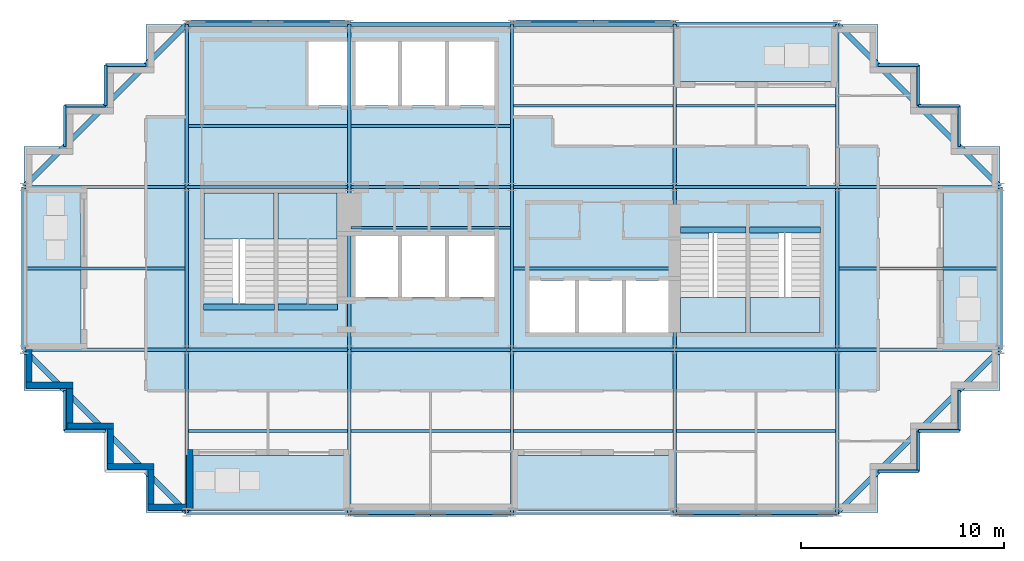
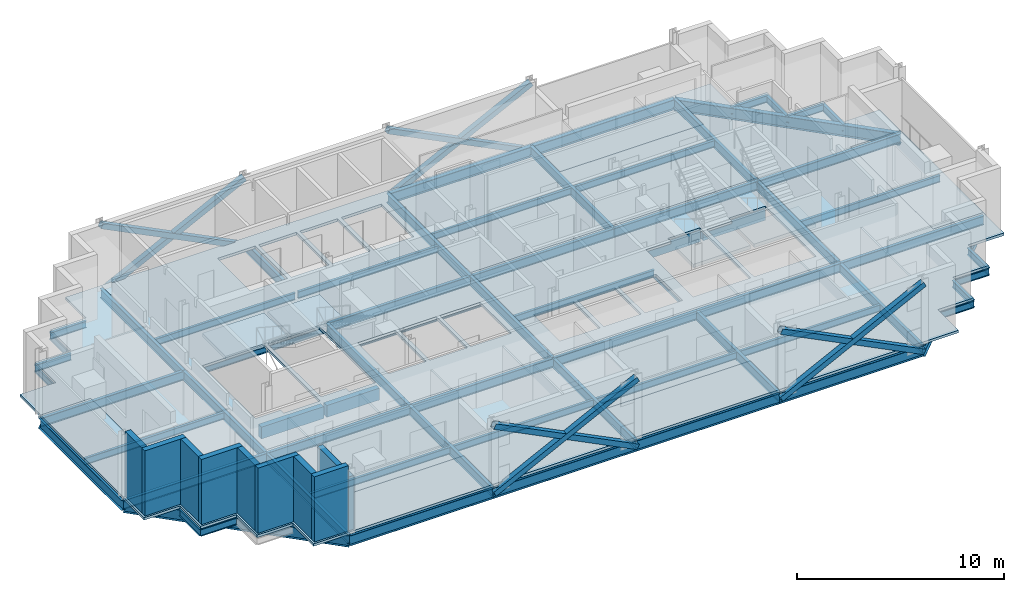
# One storey, part 3 of 10: 71 beams, 12 slabs, 9 walls, 8 members, 4 elements without a shape of their own.
"""IFC4 building model written with IfcOpenShell, lengths in metres."""

from ifc_helpers import new_model, si_unit, direction, frame, frame_2d, origin, origin_2d, place, context, subcontext, project, spatial, polyline, rectangle, hollow_rectangle, i_section, outline, extrude, material, layer, layer_set, material_profile, profile_set, type_object, element, aggregate, save


model = new_model("IFC4")

# Units and contexts
model_context = context("Model", 3, precision=1e-05, world=origin(), true_north=direction((0.0, 1.0)))
body_context = subcontext(model_context, "Body", "Model", "MODEL_VIEW")
ifc_project = project(units=[si_unit("LENGTHUNIT", "METRE"), si_unit("AREAUNIT", "SQUARE_METRE"), si_unit("VOLUMEUNIT", "CUBIC_METRE"), si_unit("PLANEANGLEUNIT", "RADIAN"), si_unit("MASSUNIT", "GRAM", prefix="KILO")], contexts=[model_context])

# Site, building, storey
site_placement = place(None, origin())
site = spatial("IfcSite", under=ifc_project, at=site_placement, CompositionType="ELEMENT")
building_placement = place(site_placement, origin())
building = spatial("IfcBuilding", under=site, at=building_placement, Name="Immortelle Media Tower", CompositionType="ELEMENT")
storey_placement = place(building_placement, frame((0.0, 0.0, 229.0)))
storey = spatial("IfcBuildingStorey", under=building, at=storey_placement, Name="L49", CompositionType="ELEMENT", Elevation=229.0)

# Members
ifc_material_1 = material(Name="Steel ASTM A500 Gr C", Category="steel")
ifc_material_profile_1 = material_profile(ifc_material_1, hollow_rectangle(XDim=0.304931640625, YDim=0.304931640625, WallThickness=0.011962890625, at=origin_2d()), Name="HSS12x12x1/2 brace")
ifc_profile_set_1 = profile_set([ifc_material_profile_1], Name="Steel ASTM A500 Gr C")
member_type = type_object("IfcMemberType", Name="HSS12x12x1/2 brace", PredefinedType="BRACE", material=ifc_profile_set_1)
for number, where, z_axis, x_axis, name in (
    (1, (16.0, -0.0625, -0.4560546875), (0.894427191, 0.0, 0.4472135955), (0.0, 1.0, 0.0), "Brace A/3-4 A"),
    (2, (16.0, -0.0625, 3.5439453125), (0.894427191, 0.0, -0.4472135955), (0.0, 1.0, 0.0), "Brace A/3-4 B"),
    (3, (32.0, -0.0625, -0.4560546875), (0.894427191, 0.0, 0.4472135955), (0.0, 1.0, 0.0), "Brace A/5-6 A"),
    (4, (32.0, -0.0625, 3.5439453125), (0.894427191, 0.0, -0.4472135955), (0.0, 1.0, 0.0), "Brace A/5-6 B"),
    (5, (32.0, 24.0625, -0.4560546875), (-0.894427191, 0.0, 0.4472135955), (0.0, -1.0, 0.0), "Brace D/4-5 A"),
    (6, (32.0, 24.0625, 3.5439453125), (-0.894427191, 0.0, -0.4472135955), (0.0, -1.0, 0.0), "Brace D/4-5 B"),
    (7, (16.0, 24.0625, -0.4560546875), (-0.894427191, 0.0, 0.4472135955), (0.0, -1.0, 0.0), "Brace D/2-3 A"),
    (8, (16.0, 24.0625, 3.5439453125), (-0.894427191, 0.0, -0.4472135955), (0.0, -1.0, 0.0), "Brace D/2-3 B"),
):
    element("IfcMember", number, at=place(storey_placement, frame(where, z_axis=z_axis, x_axis=x_axis)), inside=storey, type_object=member_type, Name=name, PredefinedType="BRACE", context=body_context, shape_type="SweptSolid", body=[
        extrude(hollow_rectangle(XDim=0.304931640625, YDim=0.304931640625, WallThickness=0.011962890625, at=origin_2d()), origin(), (0.0, 0.0, 1.0), 8.9443359375),
    ])

# Beams
ifc_material_2 = material(Name="Concrete C50/60", Category="concrete")
ifc_material_profile_2 = material_profile(ifc_material_2, rectangle(XDim=0.300048828125, YDim=0.699951171875, at=origin_2d()), Name="RC 300x700")
ifc_profile_set_2 = profile_set([ifc_material_profile_2], Name="Concrete C50/60")
beam_type_1 = type_object("IfcBeamType", Name="Stair trimmer beam 300 x 700", PredefinedType="BEAM", material=ifc_profile_set_2)
beam_1_placement = place(storey_placement, frame((8.830078125, 10.10498046875, -0.5), z_axis=(1.0, 0.0, 0.0), x_axis=(0.0, 1.0, 0.0)))
element("IfcBeam", 9, at=beam_1_placement, inside=storey, type_object=beam_type_1, Name="Stair trimmer beam SW1", PredefinedType="BEAM", context=body_context, shape_type="SweptSolid", body=[
    extrude(rectangle(XDim=0.300048828125, YDim=0.699951171875, at=origin_2d()), origin(), (0.0, 0.0, 1.0), 3.489990234375),
])
beam_2_placement = place(storey_placement, frame((12.47998046875, 10.10498046875, -0.5), z_axis=(1.0, 0.0, 0.0), x_axis=(0.0, 1.0, 0.0)))
element("IfcBeam", 10, at=beam_2_placement, inside=storey, type_object=beam_type_1, Name="Stair trimmer beam SW2", PredefinedType="BEAM", context=body_context, shape_type="SweptSolid", body=[
    extrude(rectangle(XDim=0.300048828125, YDim=0.699951171875, at=origin_2d()), origin(), (0.0, 0.0, 1.0), 2.93994140625),
])
beam_3_placement = place(storey_placement, frame((32.280029296875, 13.89501953125, -0.5), z_axis=(1.0, 0.0, 0.0), x_axis=(0.0, 1.0, 0.0)))
element("IfcBeam", 11, at=beam_3_placement, inside=storey, type_object=beam_type_1, Name="Stair trimmer beam SE1", PredefinedType="BEAM", context=body_context, shape_type="SweptSolid", body=[
    extrude(rectangle(XDim=0.300048828125, YDim=0.699951171875, at=origin_2d()), origin(), (0.0, 0.0, 1.0), 3.239990234375),
])
beam_4_placement = place(storey_placement, frame((35.679931640625, 13.89501953125, -0.5), z_axis=(1.0, 0.0, 0.0), x_axis=(0.0, 1.0, 0.0)))
element("IfcBeam", 12, at=beam_4_placement, inside=storey, type_object=beam_type_1, Name="Stair trimmer beam SE2", PredefinedType="BEAM", context=body_context, shape_type="SweptSolid", body=[
    extrude(rectangle(XDim=0.300048828125, YDim=0.699951171875, at=origin_2d()), origin(), (0.0, 0.0, 1.0), 3.489990234375),
])
ifc_material_3 = material(Name="Steel ASTM A992 Gr 50", Category="steel")
ifc_material_profile_3 = material_profile(ifc_material_3, i_section(OverallWidth=0.139892578125, OverallDepth=0.404052734375, WebThickness=0.007080078125, FlangeThickness=0.010986328125, at=origin_2d()), Name="W16x31")
ifc_profile_set_3 = profile_set([ifc_material_profile_3], Name="Steel ASTM A992 Gr 50")
beam_type_2 = type_object("IfcBeamType", Name="W16x31 secondary beam", PredefinedType="JOIST", material=ifc_profile_set_3)
for number, where, z_axis, x_axis, name in (
    (13, (8.08349609375, 4.0, -0.35205078125), (1.0, 0.0, 0.0), (0.0, 1.0, 0.0), "Beam A-B/2-3"),
    (14, (16.08349609375, 4.0, -0.35205078125), (1.0, 0.0, 0.0), (0.0, 1.0, 0.0), "Beam A-B/3-4"),
    (15, (24.08349609375, 4.0, -0.35205078125), (1.0, 0.0, 0.0), (0.0, 1.0, 0.0), "Beam A-B/4-5"),
    (16, (32.08349609375, 4.0, -0.35205078125), (1.0, 0.0, 0.0), (0.0, 1.0, 0.0), "Beam A-B/5-6"),
):
    element("IfcBeam", number, at=place(storey_placement, frame(where, z_axis=z_axis, x_axis=x_axis)), inside=storey, type_object=beam_type_2, Name=name, PredefinedType="JOIST", context=body_context, shape_type="SweptSolid", body=[
        extrude(i_section(OverallWidth=0.139892578125, OverallDepth=0.404052734375, WebThickness=0.007080078125, FlangeThickness=0.010986328125, at=origin_2d()), origin(), (0.0, 0.0, 1.0), 7.8330078125),
    ])
beam_5_placement = place(storey_placement, frame((0.114501953125, 12.0, -0.35205078125), z_axis=(1.0, 0.0, 0.0), x_axis=(0.0, 1.0, 0.0)))
element("IfcBeam", 17, at=beam_5_placement, inside=storey, type_object=beam_type_2, Name="Beam B-C/1-2", PredefinedType="JOIST", context=body_context, shape_type="SweptSolid", body=[
    extrude(i_section(OverallWidth=0.139892578125, OverallDepth=0.404052734375, WebThickness=0.007080078125, FlangeThickness=0.010986328125, at=origin_2d()), origin(), (0.0, 0.0, 1.0), 7.802001953125),
])
for number, where, z_axis, x_axis, name in (
    (18, (16.08349609375, 14.0, -0.35205078125), (1.0, 0.0, 0.0), (0.0, 1.0, 0.0), "Beam B-C/3-4"),
    (19, (24.08349609375, 12.0, -0.35205078125), (1.0, 0.0, 0.0), (0.0, 1.0, 0.0), "Beam B-C/4-5"),
):
    element("IfcBeam", number, at=place(storey_placement, frame(where, z_axis=z_axis, x_axis=x_axis)), inside=storey, type_object=beam_type_2, Name=name, PredefinedType="JOIST", context=body_context, shape_type="SweptSolid", body=[
        extrude(i_section(OverallWidth=0.139892578125, OverallDepth=0.404052734375, WebThickness=0.007080078125, FlangeThickness=0.010986328125, at=origin_2d()), origin(), (0.0, 0.0, 1.0), 7.8330078125),
    ])
beam_6_placement = place(storey_placement, frame((40.08349609375, 12.0, -0.35205078125), z_axis=(1.0, 0.0, 0.0), x_axis=(0.0, 1.0, 0.0)))
element("IfcBeam", 20, at=beam_6_placement, inside=storey, type_object=beam_type_2, Name="Beam B-C/6-7", PredefinedType="JOIST", context=body_context, shape_type="SweptSolid", body=[
    extrude(i_section(OverallWidth=0.139892578125, OverallDepth=0.404052734375, WebThickness=0.007080078125, FlangeThickness=0.010986328125, at=origin_2d()), origin(), (0.0, 0.0, 1.0), 7.802001953125),
])
for number, where, z_axis, x_axis, name in (
    (21, (8.08349609375, 19.0, -0.35205078125), (1.0, 0.0, 0.0), (0.0, 1.0, 0.0), "Beam C-D/2-3"),
    (22, (16.08349609375, 19.0, -0.35205078125), (1.0, 0.0, 0.0), (0.0, 1.0, 0.0), "Beam C-D/3-4"),
    (23, (24.08349609375, 20.0, -0.35205078125), (1.0, 0.0, 0.0), (0.0, 1.0, 0.0), "Beam C-D/4-5"),
    (24, (32.08349609375, 20.0, -0.35205078125), (1.0, 0.0, 0.0), (0.0, 1.0, 0.0), "Beam C-D/5-6"),
):
    element("IfcBeam", number, at=place(storey_placement, frame(where, z_axis=z_axis, x_axis=x_axis)), inside=storey, type_object=beam_type_2, Name=name, PredefinedType="JOIST", context=body_context, shape_type="SweptSolid", body=[
        extrude(i_section(OverallWidth=0.139892578125, OverallDepth=0.404052734375, WebThickness=0.007080078125, FlangeThickness=0.010986328125, at=origin_2d()), origin(), (0.0, 0.0, 1.0), 7.8330078125),
    ])
ifc_material_profile_4 = material_profile(ifc_material_3, i_section(OverallWidth=0.139892578125, OverallDepth=0.404052734375, WebThickness=0.007080078125, FlangeThickness=0.010986328125, at=origin_2d()), Name="W16x31")
ifc_profile_set_4 = profile_set([ifc_material_profile_4], Name="Steel ASTM A992 Gr 50")
beam_type_3 = type_object("IfcBeamType", Name="W16x31 serration edge beam", PredefinedType="SPANDREL", material=ifc_profile_set_4)
for number, where, z_axis, x_axis, name in (
    (25, (4.0, 4.0, -0.35205078125), (-1.0, 0.0, 0.0), (0.0, -1.0, 0.0), "Corner edge beam 3 at 1/A"),
    (26, (2.0, 4.0, -0.35205078125), (0.0, 1.0, 0.0), (-1.0, 0.0, 0.0), "Corner edge beam 4 at 1/A"),
    (27, (2.0, 18.0, -0.35205078125), (0.0, 1.0, 0.0), (-1.0, 0.0, 0.0), "Corner edge beam 1 at 1/D"),
    (28, (2.0, 20.0, -0.35205078125), (1.0, 0.0, 0.0), (0.0, 1.0, 0.0), "Corner edge beam 2 at 1/D"),
    (29, (4.0, 20.0, -0.35205078125), (0.0, 1.0, 0.0), (-1.0, 0.0, 0.0), "Corner edge beam 3 at 1/D"),
    (30, (4.0, 22.0, -0.35205078125), (1.0, 0.0, 0.0), (0.0, 1.0, 0.0), "Corner edge beam 4 at 1/D"),
    (31, (46.0, 6.0, -0.35205078125), (0.0, -1.0, 0.0), (1.0, 0.0, 0.0), "Corner edge beam 1 at 7/A"),
    (32, (46.0, 4.0, -0.35205078125), (-1.0, 0.0, 0.0), (0.0, -1.0, 0.0), "Corner edge beam 2 at 7/A"),
    (33, (44.0, 4.0, -0.35205078125), (0.0, -1.0, 0.0), (1.0, 0.0, 0.0), "Corner edge beam 3 at 7/A"),
    (34, (44.0, 2.0, -0.35205078125), (-1.0, 0.0, 0.0), (0.0, -1.0, 0.0), "Corner edge beam 4 at 7/A"),
    (35, (42.0, 22.0, -0.35205078125), (1.0, 0.0, 0.0), (0.0, 1.0, 0.0), "Corner edge beam 1 at 7/D"),
    (36, (44.0, 22.0, -0.35205078125), (0.0, -1.0, 0.0), (1.0, 0.0, 0.0), "Corner edge beam 2 at 7/D"),
    (37, (44.0, 20.0, -0.35205078125), (1.0, 0.0, 0.0), (0.0, 1.0, 0.0), "Corner edge beam 3 at 7/D"),
    (38, (46.0, 20.0, -0.35205078125), (0.0, -1.0, 0.0), (1.0, 0.0, 0.0), "Corner edge beam 4 at 7/D"),
):
    element("IfcBeam", number, at=place(storey_placement, frame(where, z_axis=z_axis, x_axis=x_axis)), inside=storey, type_object=beam_type_3, Name=name, PredefinedType="SPANDREL", context=body_context, shape_type="SweptSolid", body=[
        extrude(i_section(OverallWidth=0.139892578125, OverallDepth=0.404052734375, WebThickness=0.007080078125, FlangeThickness=0.010986328125, at=origin_2d()), origin(), (0.0, 0.0, 1.0), 2.0),
    ])
ifc_material_profile_5 = material_profile(ifc_material_3, i_section(OverallWidth=0.1669921875, OverallDepth=0.535888671875, WebThickness=0.010009765625, FlangeThickness=0.01708984375, at=origin_2d()), Name="W21x57")
ifc_profile_set_5 = profile_set([ifc_material_profile_5], Name="Steel ASTM A992 Gr 50")
beam_type_4 = type_object("IfcBeamType", Name="W21x57 girder", PredefinedType="BEAM", material=ifc_profile_set_5)
for number, where, z_axis, x_axis, name in (
    (39, (0.0, 8.0, -0.41796875), (1.0, 0.0, 0.0), (0.0, 1.0, 0.0), "Girder B/1-2"),
    (40, (0.0, 16.0, -0.41796875), (1.0, 0.0, 0.0), (0.0, 1.0, 0.0), "Girder C/1-2"),
    (41, (8.0, 0.0, -0.41796875), (0.0, 1.0, 0.0), (-1.0, 0.0, 0.0), "Girder 2/A-B"),
    (42, (8.0, 8.0, -0.41796875), (1.0, 0.0, 0.0), (0.0, 1.0, 0.0), "Girder B/2-3"),
    (43, (8.0, 8.0, -0.41796875), (0.0, 1.0, 0.0), (-1.0, 0.0, 0.0), "Girder 2/B-C"),
    (44, (8.0, 16.0, -0.41796875), (1.0, 0.0, 0.0), (0.0, 1.0, 0.0), "Girder C/2-3"),
    (45, (8.0, 16.0, -0.41796875), (0.0, 1.0, 0.0), (-1.0, 0.0, 0.0), "Girder 2/C-D"),
    (46, (16.0, 0.0, -0.41796875), (0.0, 1.0, 0.0), (-1.0, 0.0, 0.0), "Girder 3/A-B"),
    (47, (16.0, 8.0, -0.41796875), (1.0, 0.0, 0.0), (0.0, 1.0, 0.0), "Girder B/3-4"),
    (48, (16.0, 8.0, -0.41796875), (0.0, 1.0, 0.0), (-1.0, 0.0, 0.0), "Girder 3/B-C"),
    (49, (16.0, 16.0, -0.41796875), (1.0, 0.0, 0.0), (0.0, 1.0, 0.0), "Girder C/3-4"),
    (50, (16.0, 16.0, -0.41796875), (0.0, 1.0, 0.0), (-1.0, 0.0, 0.0), "Girder 3/C-D"),
    (51, (24.0, 0.0, -0.41796875), (0.0, 1.0, 0.0), (-1.0, 0.0, 0.0), "Girder 4/A-B"),
    (52, (24.0, 8.0, -0.41796875), (1.0, 0.0, 0.0), (0.0, 1.0, 0.0), "Girder B/4-5"),
    (53, (24.0, 8.0, -0.41796875), (0.0, 1.0, 0.0), (-1.0, 0.0, 0.0), "Girder 4/B-C"),
    (54, (24.0, 16.0, -0.41796875), (1.0, 0.0, 0.0), (0.0, 1.0, 0.0), "Girder C/4-5"),
    (55, (24.0, 16.0, -0.41796875), (0.0, 1.0, 0.0), (-1.0, 0.0, 0.0), "Girder 4/C-D"),
    (56, (32.0, 0.0, -0.41796875), (0.0, 1.0, 0.0), (-1.0, 0.0, 0.0), "Girder 5/A-B"),
    (57, (32.0, 8.0, -0.41796875), (1.0, 0.0, 0.0), (0.0, 1.0, 0.0), "Girder B/5-6"),
    (58, (32.0, 8.0, -0.41796875), (0.0, 1.0, 0.0), (-1.0, 0.0, 0.0), "Girder 5/B-C"),
    (59, (32.0, 16.0, -0.41796875), (1.0, 0.0, 0.0), (0.0, 1.0, 0.0), "Girder C/5-6"),
    (60, (32.0, 16.0, -0.41796875), (0.0, 1.0, 0.0), (-1.0, 0.0, 0.0), "Girder 5/C-D"),
    (61, (40.0, 0.0, -0.41796875), (0.0, 1.0, 0.0), (-1.0, 0.0, 0.0), "Girder 6/A-B"),
    (62, (40.0, 8.0, -0.41796875), (1.0, 0.0, 0.0), (0.0, 1.0, 0.0), "Girder B/6-7"),
    (63, (40.0, 8.0, -0.41796875), (0.0, 1.0, 0.0), (-1.0, 0.0, 0.0), "Girder 6/B-C"),
    (64, (40.0, 16.0, -0.41796875), (1.0, 0.0, 0.0), (0.0, 1.0, 0.0), "Girder C/6-7"),
    (65, (40.0, 16.0, -0.41796875), (0.0, 1.0, 0.0), (-1.0, 0.0, 0.0), "Girder 6/C-D"),
):
    element("IfcBeam", number, at=place(storey_placement, frame(where, z_axis=z_axis, x_axis=x_axis)), inside=storey, type_object=beam_type_4, Name=name, PredefinedType="BEAM", context=body_context, shape_type="SweptSolid", body=[
        extrude(i_section(OverallWidth=0.1669921875, OverallDepth=0.535888671875, WebThickness=0.010009765625, FlangeThickness=0.01708984375, at=origin_2d()), origin(), (0.0, 0.0, 1.0), 8.0),
    ])
ifc_material_profile_6 = material_profile(ifc_material_3, i_section(OverallWidth=0.22900390625, OverallDepth=0.612060546875, WebThickness=0.011962890625, FlangeThickness=0.02001953125, at=origin_2d()), Name="W24x84")
ifc_profile_set_6 = profile_set([ifc_material_profile_6], Name="Steel ASTM A992 Gr 50")
beam_type_5 = type_object("IfcBeamType", Name="W24x84 perimeter girder", PredefinedType="SPANDREL", material=ifc_profile_set_6)
for number, where, z_axis, x_axis, name in (
    (66, (0.0, 8.0, -0.4560546875), (0.0, 1.0, 0.0), (-1.0, 0.0, 0.0), "Girder 1/B-C"),
    (67, (8.0, 0.0, -0.4560546875), (1.0, 0.0, 0.0), (0.0, 1.0, 0.0), "Girder A/2-3"),
    (68, (8.0, 24.0, -0.4560546875), (1.0, 0.0, 0.0), (0.0, 1.0, 0.0), "Girder D/2-3"),
    (69, (16.0, 0.0, -0.4560546875), (1.0, 0.0, 0.0), (0.0, 1.0, 0.0), "Girder A/3-4"),
    (70, (16.0, 24.0, -0.4560546875), (1.0, 0.0, 0.0), (0.0, 1.0, 0.0), "Girder D/3-4"),
    (71, (24.0, 0.0, -0.4560546875), (1.0, 0.0, 0.0), (0.0, 1.0, 0.0), "Girder A/4-5"),
    (72, (24.0, 24.0, -0.4560546875), (1.0, 0.0, 0.0), (0.0, 1.0, 0.0), "Girder D/4-5"),
    (73, (32.0, 0.0, -0.4560546875), (1.0, 0.0, 0.0), (0.0, 1.0, 0.0), "Girder A/5-6"),
    (74, (32.0, 24.0, -0.4560546875), (1.0, 0.0, 0.0), (0.0, 1.0, 0.0), "Girder D/5-6"),
    (75, (48.0, 8.0, -0.4560546875), (0.0, 1.0, 0.0), (-1.0, 0.0, 0.0), "Girder 7/B-C"),
):
    element("IfcBeam", number, at=place(storey_placement, frame(where, z_axis=z_axis, x_axis=x_axis)), inside=storey, type_object=beam_type_5, Name=name, PredefinedType="SPANDREL", context=body_context, shape_type="SweptSolid", body=[
        extrude(i_section(OverallWidth=0.22900390625, OverallDepth=0.612060546875, WebThickness=0.011962890625, FlangeThickness=0.02001953125, at=origin_2d()), origin(), (0.0, 0.0, 1.0), 8.0),
    ])
ifc_material_profile_7 = material_profile(ifc_material_3, i_section(OverallWidth=0.2529296875, OverallDepth=0.677978515625, WebThickness=0.011962890625, FlangeThickness=0.01611328125, at=origin_2d()), Name="W27x84")
ifc_profile_set_7 = profile_set([ifc_material_profile_7], Name="Steel ASTM A992 Gr 50")
beam_type_6 = type_object("IfcBeamType", Name="W27x84 corner girder", PredefinedType="SPANDREL", material=ifc_profile_set_7)
for number, where, z_axis, x_axis, name in (
    (76, (8.0, 0.0, -0.489013671875), (-0.707106781187, 0.707106781187, 0.0), (-0.707106781187, -0.707106781187, 0.0), "Corner girder at 1/A"),
    (77, (0.0, 16.0, -0.489013671875), (0.707106781187, 0.707106781187, 0.0), (-0.707106781187, 0.707106781187, 0.0), "Corner girder at 1/D"),
    (78, (48.0, 8.0, -0.489013671875), (-0.707106781187, -0.707106781187, 0.0), (0.707106781187, -0.707106781187, 0.0), "Corner girder at 7/A"),
    (79, (40.0, 24.0, -0.489013671875), (0.707106781187, -0.707106781187, 0.0), (0.707106781187, 0.707106781187, 0.0), "Corner girder at 7/D"),
):
    element("IfcBeam", number, at=place(storey_placement, frame(where, z_axis=z_axis, x_axis=x_axis)), inside=storey, type_object=beam_type_6, Name=name, PredefinedType="SPANDREL", context=body_context, shape_type="SweptSolid", body=[
        extrude(i_section(OverallWidth=0.2529296875, OverallDepth=0.677978515625, WebThickness=0.011962890625, FlangeThickness=0.01611328125, at=origin_2d()), origin(), (0.0, 0.0, 1.0), 11.313720703125),
    ])

# Slabs
ifc_material_4 = material(Name="Concrete C50/60 composite deck", Category="concrete")
ifc_layer_1 = layer(ifc_material_4, 0.14990234375)
ifc_layer_set_1 = layer_set([ifc_layer_1], Name="Concrete C50/60 composite deck")
slab_type_1 = type_object("IfcSlabType", Name="Balcony slab 150", PredefinedType="FLOOR", material=ifc_layer_set_1)
slab_1_placement = place(storey_placement, frame((0.0, 0.0, -0.14990234375)))
element("IfcSlab", 80, at=slab_1_placement, inside=storey, type_object=slab_type_1, Name="Balcony slab L49 S0", PredefinedType="FLOOR", context=body_context, shape_type="SweptSolid", body=[
    extrude(outline(polyline([(16.0, 0.0), (16.0, 2.800048828125), (8.0, 2.800048828125), (8.0, 0.0), (16.0, 0.0)])), origin(), (0.0, 0.0, 1.0), 0.14990234375),
])
slab_2_placement = place(storey_placement, frame((0.0, 0.0, -0.14990234375)))
element("IfcSlab", 81, at=slab_2_placement, inside=storey, type_object=slab_type_1, Name="Balcony slab L49 S2", PredefinedType="FLOOR", context=body_context, shape_type="SweptSolid", body=[
    extrude(outline(polyline([(32.0, 0.0), (32.0, 2.800048828125), (24.0, 2.800048828125), (24.0, 0.0), (32.0, 0.0)])), origin(), (0.0, 0.0, 1.0), 0.14990234375),
])
slab_3_placement = place(storey_placement, frame((0.0, 0.0, -0.14990234375)))
element("IfcSlab", 82, at=slab_3_placement, inside=storey, type_object=slab_type_1, Name="Balcony slab L49 E0", PredefinedType="FLOOR", context=body_context, shape_type="SweptSolid", body=[
    extrude(outline(polyline([(48.0, 8.0), (48.0, 16.0), (45.199951171875, 16.0), (45.199951171875, 8.0), (48.0, 8.0)])), origin(), (0.0, 0.0, 1.0), 0.14990234375),
])
slab_4_placement = place(storey_placement, frame((0.0, 0.0, -0.14990234375)))
element("IfcSlab", 83, at=slab_4_placement, inside=storey, type_object=slab_type_1, Name="Balcony slab L49 N0", PredefinedType="FLOOR", context=body_context, shape_type="SweptSolid", body=[
    extrude(outline(polyline([(40.0, 21.199951171875), (40.0, 24.0), (32.0, 24.0), (32.0, 21.199951171875), (40.0, 21.199951171875)])), origin(), (0.0, 0.0, 1.0), 0.14990234375),
])
slab_5_placement = place(storey_placement, frame((0.0, 0.0, -0.14990234375)))
element("IfcSlab", 84, at=slab_5_placement, inside=storey, type_object=slab_type_1, Name="Balcony slab L49 W0", PredefinedType="FLOOR", context=body_context, shape_type="SweptSolid", body=[
    extrude(outline(polyline([(2.800048828125, 8.0), (2.800048828125, 16.0), (0.0, 16.0), (0.0, 8.0), (2.800048828125, 8.0)])), origin(), (0.0, 0.0, 1.0), 0.14990234375),
])
ifc_layer_2 = layer(ifc_material_2, 0.14990234375)
ifc_layer_set_2 = layer_set([ifc_layer_2], Name="Concrete C50/60")
slab_type_2 = type_object("IfcSlabType", Name="Composite floor slab 150", PredefinedType="FLOOR", material=ifc_layer_set_2)
slab_6_placement = place(storey_placement, frame((0.0, 0.0, -0.14990234375)))
element("IfcSlab", 85, at=slab_6_placement, inside=storey, type_object=slab_type_2, Name="Floor slab L49", PredefinedType="FLOOR", context=body_context, shape_type="SweptSolid", body=[
    extrude(outline(polyline([(6.0, 0.0), (6.0, 2.0), (4.0, 2.0), (4.0, 4.0), (2.0, 4.0), (2.0, 6.0), (0.0, 6.0), (0.0, 8.0), (2.800048828125, 8.0), (2.800048828125, 16.0), (0.0, 16.0), (0.0, 18.0), (2.0, 18.0), (2.0, 20.0), (4.0, 20.0), (4.0, 22.0), (6.0, 22.0), (6.0, 24.0), (8.0, 24.0), (8.0, 8.0), (24.0, 8.0), (40.0, 8.0), (40.0, 16.0), (24.0, 16.0), (24.0, 21.199951171875), (24.0, 24.0), (32.0, 24.0), (32.0, 21.199951171875), (40.0, 21.199951171875), (40.0, 24.0), (42.0, 24.0), (42.0, 22.0), (44.0, 22.0), (44.0, 20.0), (46.0, 20.0), (46.0, 18.0), (48.0, 18.0), (48.0, 16.0), (45.199951171875, 16.0), (45.199951171875, 8.0), (48.0, 8.0), (48.0, 6.0), (46.0, 6.0), (46.0, 4.0), (44.0, 4.0), (44.0, 2.0), (42.0, 2.0), (42.0, 0.0), (32.0, 0.0), (32.0, 2.800048828125), (24.0, 2.800048828125), (24.0, 0.0), (16.0, 0.0), (16.0, 2.800048828125), (8.0, 2.800048828125), (8.0, 0.0), (6.0, 0.0)])), origin(), (0.0, 0.0, 1.0), 0.14990234375),
])
ifc_layer_3 = layer(ifc_material_2, 0.14990234375)
ifc_layer_set_3 = layer_set([ifc_layer_3], Name="Concrete C50/60")
slab_type_3 = type_object("IfcSlabType", Name="Core floor slab 150", PredefinedType="FLOOR", material=ifc_layer_set_3)
slab_7_placement = place(storey_placement, frame((0.0, 0.0, -0.14990234375)))
element("IfcSlab", 86, at=slab_7_placement, inside=storey, type_object=slab_type_3, Name="Core floor SW", PredefinedType="FLOOR", context=body_context, shape_type="SweptSolid", body=[
    extrude(outline(polyline([(8.0, 8.0), (24.0, 8.0), (24.0, 24.0), (8.0, 24.0), (8.0, 8.0)]), holes=[polyline([(14.0, 20.0), (16.10009765625, 20.0), (16.10009765625, 23.14990234375), (14.0, 23.14990234375), (14.0, 20.0)]), polyline([(16.300048828125, 20.0), (18.39990234375, 20.0), (18.39990234375, 23.14990234375), (16.300048828125, 23.14990234375), (16.300048828125, 20.0)]), polyline([(18.60009765625, 20.0), (20.699951171875, 20.0), (20.699951171875, 23.14990234375), (18.60009765625, 23.14990234375), (18.60009765625, 20.0)]), polyline([(20.89990234375, 20.0), (23.14990234375, 20.0), (23.14990234375, 23.14990234375), (20.89990234375, 23.14990234375), (20.89990234375, 20.0)]), polyline([(16.300048828125, 10.60009765625), (18.39990234375, 10.60009765625), (18.39990234375, 13.60009765625), (16.300048828125, 13.60009765625), (16.300048828125, 10.60009765625)]), polyline([(18.60009765625, 10.60009765625), (20.699951171875, 10.60009765625), (20.699951171875, 13.60009765625), (18.60009765625, 13.60009765625), (18.60009765625, 10.60009765625)]), polyline([(20.89990234375, 10.60009765625), (23.14990234375, 10.60009765625), (23.14990234375, 13.60009765625), (20.89990234375, 13.60009765625), (20.89990234375, 10.60009765625)]), polyline([(8.85009765625, 15.699951171875), (12.300048828125, 15.699951171875), (12.300048828125, 10.27001953125), (10.25, 10.27001953125), (10.25, 10.56005859375), (8.85009765625, 10.56005859375), (8.85009765625, 15.699951171875)]), polyline([(12.5, 15.699951171875), (15.39990234375, 15.699951171875), (15.39990234375, 10.27001953125), (13.89990234375, 10.27001953125), (13.89990234375, 10.56005859375), (12.5, 10.56005859375), (12.5, 15.699951171875)])]), origin(), (0.0, 0.0, 1.0), 0.14990234375),
])
slab_8_placement = place(storey_placement, frame((0.0, 0.0, -0.14990234375)))
element("IfcSlab", 87, at=slab_8_placement, inside=storey, type_object=slab_type_3, Name="Core floor SE", PredefinedType="FLOOR", context=body_context, shape_type="SweptSolid", body=[
    extrude(outline(polyline([(24.0, 8.0), (40.0, 8.0), (40.0, 16.0), (24.0, 16.0), (24.0, 8.0)]), holes=[polyline([(24.85009765625, 8.85009765625), (27.10009765625, 8.85009765625), (27.10009765625, 11.39990234375), (24.85009765625, 11.39990234375), (24.85009765625, 8.85009765625)]), polyline([(27.300048828125, 8.85009765625), (29.39990234375, 8.85009765625), (29.39990234375, 11.39990234375), (27.300048828125, 11.39990234375), (27.300048828125, 8.85009765625)]), polyline([(29.60009765625, 8.85009765625), (31.699951171875, 8.85009765625), (31.699951171875, 11.39990234375), (29.60009765625, 11.39990234375), (29.60009765625, 8.85009765625)]), polyline([(35.5, 13.72998046875), (35.5, 8.85009765625), (32.300048828125, 8.85009765625), (32.300048828125, 13.43994140625), (33.699951171875, 13.43994140625), (33.699951171875, 13.72998046875), (35.5, 13.72998046875)]), polyline([(39.14990234375, 13.72998046875), (39.14990234375, 8.85009765625), (35.699951171875, 8.85009765625), (35.699951171875, 13.43994140625), (37.10009765625, 13.43994140625), (37.10009765625, 13.72998046875), (39.14990234375, 13.72998046875)])]), origin(), (0.0, 0.0, 1.0), 0.14990234375),
])

# Stair, slab
stair_type = type_object("IfcStairType", Name="Stair with flights", PredefinedType="DOUBLE_RETURN_STAIR", material=ifc_material_3)
stair_1_placement = place(storey_placement, origin())
stair_1 = element("IfcStair", 88, at=stair_1_placement, inside=storey, type_object=stair_type, Name="Exit stair SW1", PredefinedType="DOUBLE_RETURN_STAIR")
ifc_material_5 = material(Name="Steel ASTM A572 Gr 50", Category="steel")
ifc_layer_4 = layer(ifc_material_5, 0.199951171875)
ifc_layer_set_4 = layer_set([ifc_layer_4], Name="Steel ASTM A572 Gr 50")
slab_type_4 = type_object("IfcSlabType", Name="Stair landing 200", PredefinedType="LANDING", material=ifc_layer_set_4)
slab_9_placement = place(storey_placement, frame((0.0, 0.0, 1.713134765625)))
slab_9 = element("IfcSlab", 89, at=slab_9_placement, type_object=slab_type_4, Name="ST SW1 landing 1", PredefinedType="LANDING", context=body_context, shape_type="SweptSolid", body=[
    extrude(outline(polyline([(8.85009765625, 13.43994140625), (12.300048828125, 13.43994140625), (12.300048828125, 15.699951171875), (8.85009765625, 15.699951171875), (8.85009765625, 13.43994140625)])), origin(), (0.0, 0.0, 1.0), 0.199951171875),
])
aggregate(stair_1, [slab_9])

stair_2_placement = place(storey_placement, origin())
stair_2 = element("IfcStair", 90, at=stair_2_placement, inside=storey, type_object=stair_type, Name="Exit stair SW2", PredefinedType="DOUBLE_RETURN_STAIR")
slab_10_placement = place(storey_placement, frame((0.0, 0.0, 1.713134765625)))
slab_10 = element("IfcSlab", 91, at=slab_10_placement, type_object=slab_type_4, Name="ST SW2 landing 1", PredefinedType="LANDING", context=body_context, shape_type="SweptSolid", body=[
    extrude(outline(polyline([(12.5, 13.43994140625), (15.39990234375, 13.43994140625), (15.39990234375, 15.699951171875), (12.5, 15.699951171875), (12.5, 13.43994140625)])), origin(), (0.0, 0.0, 1.0), 0.199951171875),
])
aggregate(stair_2, [slab_10])

stair_3_placement = place(storey_placement, origin())
stair_3 = element("IfcStair", 92, at=stair_3_placement, inside=storey, type_object=stair_type, Name="Exit stair SE1", PredefinedType="DOUBLE_RETURN_STAIR")
slab_11_placement = place(storey_placement, frame((0.0, 0.0, 1.713134765625)))
slab_11 = element("IfcSlab", 93, at=slab_11_placement, type_object=slab_type_4, Name="ST SE1 landing 1", PredefinedType="LANDING", context=body_context, shape_type="SweptSolid", body=[
    extrude(outline(polyline([(32.300048828125, 8.85009765625), (35.5, 8.85009765625), (35.5, 10.56005859375), (32.300048828125, 10.56005859375), (32.300048828125, 8.85009765625)])), origin(), (0.0, 0.0, 1.0), 0.199951171875),
])
aggregate(stair_3, [slab_11])

stair_4_placement = place(storey_placement, origin())
stair_4 = element("IfcStair", 94, at=stair_4_placement, inside=storey, type_object=stair_type, Name="Exit stair SE2", PredefinedType="DOUBLE_RETURN_STAIR")
slab_12_placement = place(storey_placement, frame((0.0, 0.0, 1.713134765625)))
slab_12 = element("IfcSlab", 95, at=slab_12_placement, type_object=slab_type_4, Name="ST SE2 landing 1", PredefinedType="LANDING", context=body_context, shape_type="SweptSolid", body=[
    extrude(outline(polyline([(35.699951171875, 8.85009765625), (39.14990234375, 8.85009765625), (39.14990234375, 10.56005859375), (35.699951171875, 10.56005859375), (35.699951171875, 8.85009765625)])), origin(), (0.0, 0.0, 1.0), 0.199951171875),
])
aggregate(stair_4, [slab_12])

# Walls
ifc_material_6 = material(Name="Pale aluminium cladding panel", Category="aluminium")
ifc_layer_5 = layer(ifc_material_6, 0.030029296875)
ifc_material_7 = material(Name="Steel ASTM A653 SS Gr 50 stud frame with mineral wool", Category="steel")
ifc_layer_6 = layer(ifc_material_7, 0.257568359375)
ifc_material_8 = material(Name="Moisture-resistant gypsum board", Category="gypsum")
ifc_layer_7 = layer(ifc_material_8, 0.012451171875)
ifc_layer_set_5 = layer_set([ifc_layer_5, ifc_layer_6, ifc_layer_7], Name="Steel ASTM A653 SS Gr 50 stud frame with mineral wool")
wall_type = type_object("IfcWallType", Name="Facade wall 300", PredefinedType="SOLIDWALL", material=ifc_layer_set_5)
wall_1_placement = place(storey_placement, frame((0.10009765625, 6.25, 0.0), z_axis=(0.0, 0.0, 1.0), x_axis=(1.0, 0.0, 0.0)))
element("IfcWall", 96, at=wall_1_placement, inside=storey, type_object=wall_type, Name="Facade wall L49 S0", PredefinedType="SOLIDWALL", context=body_context, shape_type="SweptSolid", body=[
    extrude(rectangle(XDim=2.2998046875, YDim=0.300048828125, at=frame_2d((1.14990234375, 0.0))), origin(), (0.0, 0.0, 1.0), 3.85009765625),
])
wall_2_placement = place(storey_placement, frame((2.25, 6.10009765625, 0.0), z_axis=(0.0, 0.0, 1.0), x_axis=(0.0, -1.0, 0.0)))
element("IfcWall", 97, at=wall_2_placement, inside=storey, type_object=wall_type, Name="Facade wall L49 W1", PredefinedType="SOLIDWALL", context=body_context, shape_type="SweptSolid", body=[
    extrude(rectangle(XDim=1.7001953125, YDim=0.300048828125, at=frame_2d((0.85009765625, 0.0))), origin(), (0.0, 0.0, 1.0), 3.85009765625),
])
wall_3_placement = place(storey_placement, frame((2.10009765625, 4.25, 0.0), z_axis=(0.0, 0.0, 1.0), x_axis=(1.0, 0.0, 0.0)))
element("IfcWall", 98, at=wall_3_placement, inside=storey, type_object=wall_type, Name="Facade wall L49 S2", PredefinedType="SOLIDWALL", context=body_context, shape_type="SweptSolid", body=[
    extrude(rectangle(XDim=2.2998046875, YDim=0.300048828125, at=frame_2d((1.14990234375, 0.0))), origin(), (0.0, 0.0, 1.0), 3.85009765625),
])
wall_4_placement = place(storey_placement, frame((4.25, 4.10009765625, 0.0), z_axis=(0.0, 0.0, 1.0), x_axis=(0.0, -1.0, 0.0)))
element("IfcWall", 99, at=wall_4_placement, inside=storey, type_object=wall_type, Name="Facade wall L49 W3", PredefinedType="SOLIDWALL", context=body_context, shape_type="SweptSolid", body=[
    extrude(rectangle(XDim=1.7001953125, YDim=0.300048828125, at=frame_2d((0.85009765625, 0.0))), origin(), (0.0, 0.0, 1.0), 3.85009765625),
])
wall_5_placement = place(storey_placement, frame((4.10009765625, 2.25, 0.0), z_axis=(0.0, 0.0, 1.0), x_axis=(1.0, 0.0, 0.0)))
element("IfcWall", 100, at=wall_5_placement, inside=storey, type_object=wall_type, Name="Facade wall L49 S4", PredefinedType="SOLIDWALL", context=body_context, shape_type="SweptSolid", body=[
    extrude(rectangle(XDim=2.2998046875, YDim=0.300048828125, at=frame_2d((1.14990234375, 0.0))), origin(), (0.0, 0.0, 1.0), 3.85009765625),
])
wall_6_placement = place(storey_placement, frame((6.25, 2.10009765625, 0.0), z_axis=(0.0, 0.0, 1.0), x_axis=(0.0, -1.0, 0.0)))
element("IfcWall", 101, at=wall_6_placement, inside=storey, type_object=wall_type, Name="Facade wall L49 W5", PredefinedType="SOLIDWALL", context=body_context, shape_type="SweptSolid", body=[
    extrude(rectangle(XDim=1.7001953125, YDim=0.300048828125, at=frame_2d((0.85009765625, 0.0))), origin(), (0.0, 0.0, 1.0), 3.85009765625),
])
wall_7_placement = place(storey_placement, frame((6.10009765625, 0.25, 0.0), z_axis=(0.0, 0.0, 1.0), x_axis=(1.0, 0.0, 0.0)))
element("IfcWall", 102, at=wall_7_placement, inside=storey, type_object=wall_type, Name="Facade wall L49 S6", PredefinedType="SOLIDWALL", context=body_context, shape_type="SweptSolid", body=[
    extrude(rectangle(XDim=1.89990234375, YDim=0.300048828125, at=frame_2d((0.949951171875, 0.0))), origin(), (0.0, 0.0, 1.0), 3.85009765625),
])
wall_8_placement = place(storey_placement, frame((8.14990234375, 0.10009765625, 0.0), z_axis=(0.0, 0.0, 1.0), x_axis=(0.0, 1.0, 0.0)))
element("IfcWall", 103, at=wall_8_placement, inside=storey, type_object=wall_type, Name="Loggia cheek wall L49 S", PredefinedType="SOLIDWALL", context=body_context, shape_type="SweptSolid", body=[
    extrude(rectangle(XDim=3.0, YDim=0.300048828125, at=frame_2d((1.5, 0.0))), origin(), (0.0, 0.0, 1.0), 3.1708984375),
])
wall_9_placement = place(storey_placement, frame((0.25, 8.0, 0.0), z_axis=(0.0, 0.0, 1.0), x_axis=(0.0, -1.0, 0.0)))
element("IfcWall", 104, at=wall_9_placement, inside=storey, type_object=wall_type, Name="Facade wall L49 W27", PredefinedType="SOLIDWALL", context=body_context, shape_type="SweptSolid", body=[
    extrude(rectangle(XDim=1.60009765625, YDim=0.300048828125, at=frame_2d((0.800048828125, 0.0))), origin(), (0.0, 0.0, 1.0), 3.85009765625),
])

save(model, "model.ifc")
